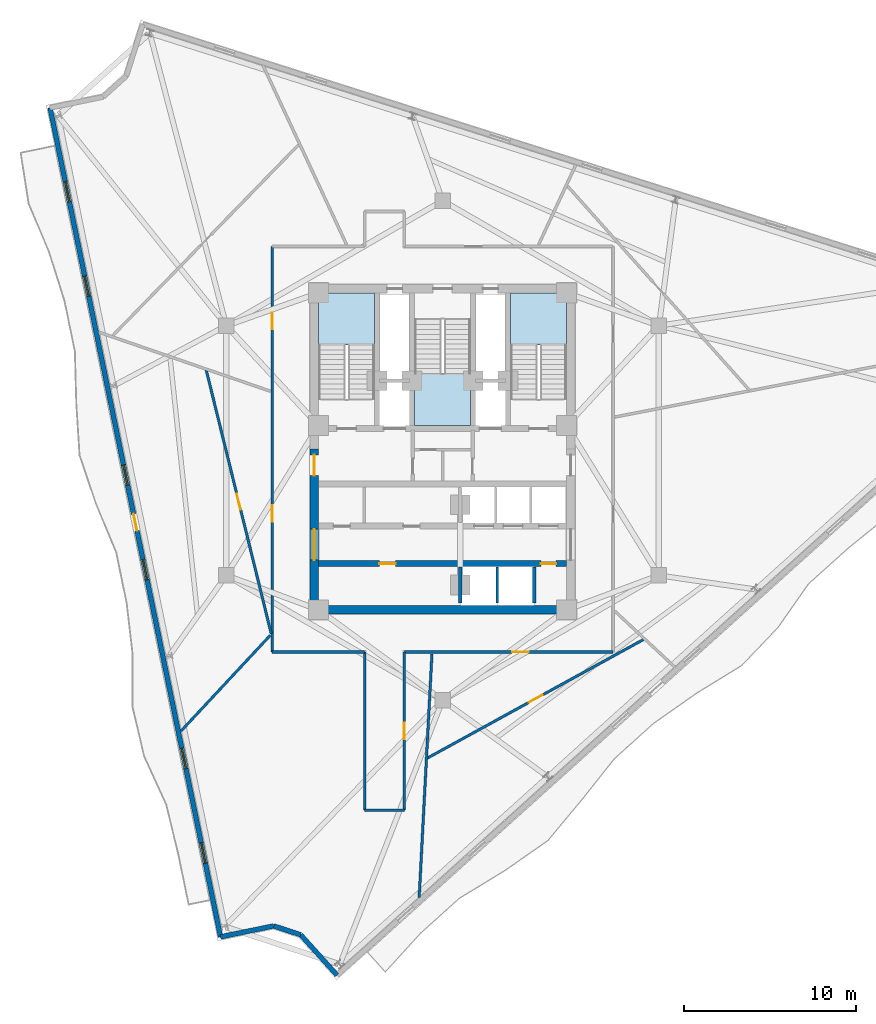
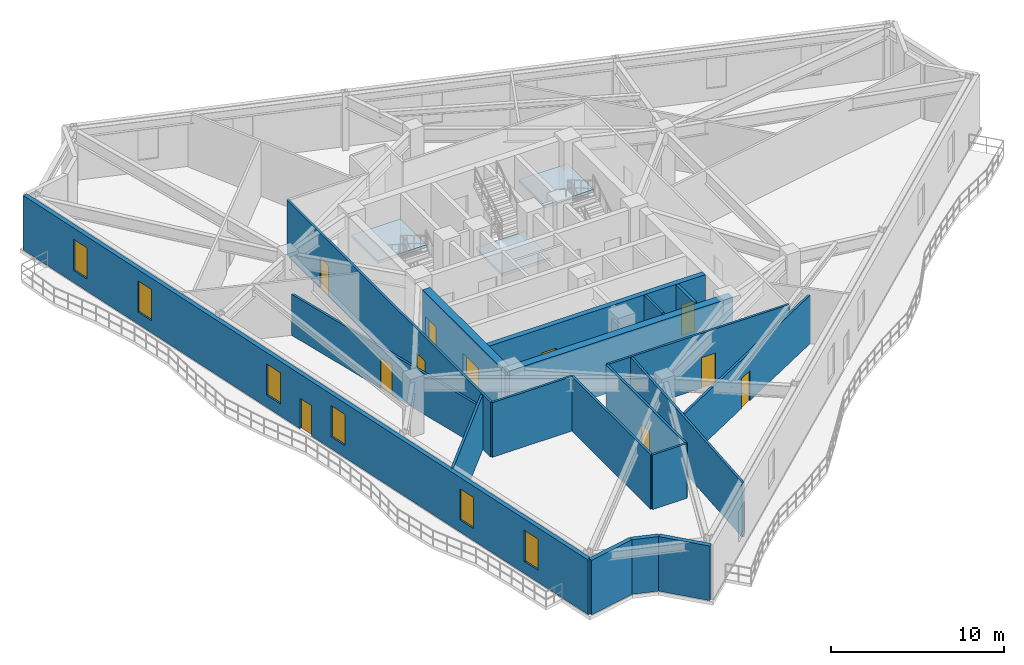
# One storey, part 5 of 11: 20 walls, 11 doors, 6 windows, 3 slabs, 17 openings, 3 elements without a shape of their own.
"""IFC4 building model written with IfcOpenShell, lengths in metres."""

from ifc_helpers import new_model, si_unit, direction, frame, frame_2d, origin, place, context, subcontext, project, spatial, polyline, rectangle, outline, extrude, material, layer, layer_set, type_object, element, fill, aggregate, save


model = new_model("IFC4")

# Units and contexts
model_context = context("Model", 3, precision=1e-05, world=origin(), true_north=direction((0.0, 1.0)))
body_context = subcontext(model_context, "Body", "Model", "MODEL_VIEW")
ifc_project = project(units=[si_unit("LENGTHUNIT", "METRE"), si_unit("AREAUNIT", "SQUARE_METRE"), si_unit("VOLUMEUNIT", "CUBIC_METRE"), si_unit("PLANEANGLEUNIT", "RADIAN"), si_unit("MASSUNIT", "GRAM", prefix="KILO")], contexts=[model_context])

# Site, building, storey
site_placement = place(None, origin())
site = spatial("IfcSite", under=ifc_project, at=site_placement, CompositionType="ELEMENT")
building_placement = place(site_placement, origin())
building = spatial("IfcBuilding", under=site, at=building_placement, Name="Apsidion Concourse Tower", CompositionType="ELEMENT")
storey_placement = place(building_placement, frame((0.0, 0.0, 244.5)))
storey = spatial("IfcBuildingStorey", under=building, at=storey_placement, Name="L57", CompositionType="ELEMENT", Elevation=244.5)

# Stair, slab
ifc_material_1 = material(Name="Precast concrete C40/50", Category="concrete")
stair_type = type_object("IfcStairType", Name="ST-DL-1550", PredefinedType="HALF_TURN_STAIR", material=ifc_material_1)
stair_1_placement = place(storey_placement, origin())
stair_1 = element("IfcStair", 1, at=stair_1_placement, inside=storey, type_object=stair_type, Name="L57 Protected Core Exit Stair ST1", PredefinedType="HALF_TURN_STAIR")
ifc_material_2 = material(Name="Concrete C50/60", Category="concrete")
ifc_layer_1 = layer(ifc_material_2, 0.199951171875)
ifc_layer_set_1 = layer_set([ifc_layer_1], Name="Concrete C50/60")
slab_type = type_object("IfcSlabType", Name="SL-ST-LAND-200", PredefinedType="LANDING", material=ifc_layer_set_1)
slab_1_placement = place(storey_placement, frame((0.0, 0.0, 1.85009765625)))
slab_1 = element("IfcSlab", 2, at=slab_1_placement, type_object=slab_type, Name="ST1 landing 1", PredefinedType="LANDING", context=body_context, shape_type="SweptSolid", body=[
    extrude(outline(polyline([(-3.949951171875, 6.135009765625), (-3.949951171875, 9.14990234375), (-7.199951171875, 9.14990234375), (-7.199951171875, 6.135009765625), (-3.949951171875, 6.135009765625)])), origin(), (0.0, 0.0, 1.0), 0.199951171875),
])
aggregate(stair_1, [slab_1])

stair_2_placement = place(storey_placement, origin())
stair_2 = element("IfcStair", 3, at=stair_2_placement, inside=storey, type_object=stair_type, Name="L57 Protected Core Exit Stair ST2", PredefinedType="HALF_TURN_STAIR")
slab_2_placement = place(storey_placement, frame((0.0, 0.0, 1.85009765625)))
slab_2 = element("IfcSlab", 4, at=slab_2_placement, type_object=slab_type, Name="ST2 landing 1", PredefinedType="LANDING", context=body_context, shape_type="SweptSolid", body=[
    extrude(outline(polyline([(7.199951171875, 6.135009765625), (7.199951171875, 9.14990234375), (3.949951171875, 9.14990234375), (3.949951171875, 6.135009765625), (7.199951171875, 6.135009765625)])), origin(), (0.0, 0.0, 1.0), 0.199951171875),
])
aggregate(stair_2, [slab_2])

stair_3_placement = place(storey_placement, origin())
stair_3 = element("IfcStair", 5, at=stair_3_placement, inside=storey, type_object=stair_type, Name="L57 Protected Core Exit Stair ST3", PredefinedType="HALF_TURN_STAIR")
slab_3_placement = place(storey_placement, frame((0.0, 0.0, 1.85009765625)))
slab_3 = element("IfcSlab", 6, at=slab_3_placement, type_object=slab_type, Name="ST3 landing 1", PredefinedType="LANDING", context=body_context, shape_type="SweptSolid", body=[
    extrude(outline(polyline([(-1.625, 4.465087890625), (-1.625, 1.449951171875), (1.625, 1.449951171875), (1.625, 4.465087890625), (-1.625, 4.465087890625)])), origin(), (0.0, 0.0, 1.0), 0.199951171875),
])
aggregate(stair_3, [slab_3])

# Walls
ifc_layer_2 = layer(ifc_material_1, 0.280029296875)
ifc_layer_set_2 = layer_set([ifc_layer_2], Name="Precast concrete C40/50")
wall_type_1 = type_object("IfcWallType", Name="WL-EXT-280", PredefinedType="STANDARD", material=ifc_layer_set_2)
wall_1_placement = place(storey_placement, frame((-6.13330078125, -30.46044921875, 0.0), z_axis=(0.0, 0.0, 1.0), x_axis=(-0.669131702868, 0.743143838175, 0.0)))
element("IfcWall", 7, at=wall_1_placement, inside=storey, type_object=wall_type_1, Name="L57 Precast Stone Facade Wall 06", PredefinedType="STANDARD", context=body_context, shape_type="SweptSolid", body=[
    extrude(rectangle(XDim=3.150146484375, YDim=0.280029296875, at=frame_2d((1.5751953125, 0.0))), origin(), (0.0, 0.0, 1.0), 3.85009765625),
])
wall_2_placement = place(storey_placement, frame((-8.2412109375, -28.119384765625, 0.0), z_axis=(0.0, 0.0, 1.0), x_axis=(-0.950036767419, 0.312138015231, 0.0)))
element("IfcWall", 8, at=wall_2_placement, inside=storey, type_object=wall_type_1, Name="L57 Precast Stone Facade Wall 07", PredefinedType="STANDARD", context=body_context, shape_type="SweptSolid", body=[
    extrude(rectangle(XDim=1.648681640625, YDim=0.280029296875, at=frame_2d((0.82421875, 0.0))), origin(), (0.0, 0.0, 1.0), 3.85009765625),
])
wall_3_placement = place(storey_placement, frame((-9.8076171875, -27.604736328125, 0.0), z_axis=(0.0, 0.0, 1.0), x_axis=(-0.979505186658, -0.201418939799, 0.0)))
element("IfcWall", 9, at=wall_3_placement, inside=storey, type_object=wall_type_1, Name="L57 Precast Stone Facade Wall 08", PredefinedType="STANDARD", context=body_context, shape_type="SweptSolid", body=[
    extrude(rectangle(XDim=3.150146484375, YDim=0.280029296875, at=frame_2d((1.5751953125, 0.0))), origin(), (0.0, 0.0, 1.0), 3.85009765625),
])

# Wall, openings, door, windows
wall_4_placement = place(storey_placement, frame((-12.893310546875, -28.2392578125, 0.0), z_axis=(0.0, 0.0, 1.0), x_axis=(-0.201426823496, 0.979503565474, 0.0)))
wall_4 = element("IfcWall", 10, at=wall_4_placement, inside=storey, type_object=wall_type_1, Name="L57 Precast Stone Facade Wall 09", PredefinedType="STANDARD", context=body_context, shape_type="SweptSolid", body=[
    extrude(rectangle(XDim=49.145263671875, YDim=0.280029296875, at=frame_2d((24.57275390625, 0.0))), origin(), (0.0, 0.0, 1.0), 3.85009765625),
])
opening_1_placement = place(wall_4_placement, frame((24.072509765625, 0.0, 0.0)))
opening_1 = element("IfcOpeningElement", 11, at=opening_1_placement, cuts=wall_4, Name="Opening D-T1R", PredefinedType="OPENING", context=body_context, shape_type="SweptSolid", body=[
    extrude(rectangle(XDim=1.0, YDim=2.14990234375, at=frame_2d((0.5, 1.074951171875))), frame((0.0, 0.14990234375, 0.0), z_axis=(0.0, -1.0, 0.0), x_axis=(1.0, 0.0, 0.0)), (0.0, 0.0, 1.0), 0.300048828125),
])
opening_2_placement = place(wall_4_placement, frame((4.37255859375, 0.0, 0.85009765625)))
opening_2 = element("IfcOpeningElement", 12, at=opening_2_placement, cuts=wall_4, Name="Opening WN-06", PredefinedType="OPENING", context=body_context, shape_type="SweptSolid", body=[
    extrude(rectangle(XDim=1.199951171875, YDim=2.199951171875, at=frame_2d((0.60009765625, 1.10009765625))), frame((0.0, 0.14990234375, 0.0), z_axis=(0.0, -1.0, 0.0), x_axis=(1.0, 0.0, 0.0)), (0.0, 0.0, 1.0), 0.300048828125),
])
opening_3_placement = place(wall_4_placement, frame((9.97265625, 0.0, 0.85009765625)))
opening_3 = element("IfcOpeningElement", 13, at=opening_3_placement, cuts=wall_4, Name="Opening WN-06", PredefinedType="OPENING", context=body_context, shape_type="SweptSolid", body=[
    extrude(rectangle(XDim=1.199951171875, YDim=2.199951171875, at=frame_2d((0.60009765625, 1.10009765625))), frame((0.0, 0.14990234375, 0.0), z_axis=(0.0, -1.0, 0.0), x_axis=(1.0, 0.0, 0.0)), (0.0, 0.0, 1.0), 0.300048828125),
])
opening_4_placement = place(wall_4_placement, frame((21.172607421875, 0.0, 0.85009765625)))
opening_4 = element("IfcOpeningElement", 14, at=opening_4_placement, cuts=wall_4, Name="Opening WN-06", PredefinedType="OPENING", context=body_context, shape_type="SweptSolid", body=[
    extrude(rectangle(XDim=1.199951171875, YDim=2.199951171875, at=frame_2d((0.60009765625, 1.10009765625))), frame((0.0, 0.14990234375, 0.0), z_axis=(0.0, -1.0, 0.0), x_axis=(1.0, 0.0, 0.0)), (0.0, 0.0, 1.0), 0.300048828125),
])
opening_5_placement = place(wall_4_placement, frame((26.772705078125, 0.0, 0.85009765625)))
opening_5 = element("IfcOpeningElement", 15, at=opening_5_placement, cuts=wall_4, Name="Opening WN-06", PredefinedType="OPENING", context=body_context, shape_type="SweptSolid", body=[
    extrude(rectangle(XDim=1.199951171875, YDim=2.199951171875, at=frame_2d((0.60009765625, 1.10009765625))), frame((0.0, 0.14990234375, 0.0), z_axis=(0.0, -1.0, 0.0), x_axis=(1.0, 0.0, 0.0)), (0.0, 0.0, 1.0), 0.300048828125),
])
opening_6_placement = place(wall_4_placement, frame((37.97265625, 0.0, 0.85009765625)))
opening_6 = element("IfcOpeningElement", 16, at=opening_6_placement, cuts=wall_4, Name="Opening WN-06", PredefinedType="OPENING", context=body_context, shape_type="SweptSolid", body=[
    extrude(rectangle(XDim=1.199951171875, YDim=2.199951171875, at=frame_2d((0.60009765625, 1.10009765625))), frame((0.0, 0.14990234375, 0.0), z_axis=(0.0, -1.0, 0.0), x_axis=(1.0, 0.0, 0.0)), (0.0, 0.0, 1.0), 0.300048828125),
])
opening_7_placement = place(wall_4_placement, frame((43.572509765625, 0.0, 0.85009765625)))
opening_7 = element("IfcOpeningElement", 17, at=opening_7_placement, cuts=wall_4, Name="Opening WN-06", PredefinedType="OPENING", context=body_context, shape_type="SweptSolid", body=[
    extrude(rectangle(XDim=1.199951171875, YDim=2.199951171875, at=frame_2d((0.60009765625, 1.10009765625))), frame((0.0, 0.14990234375, 0.0), z_axis=(0.0, -1.0, 0.0), x_axis=(1.0, 0.0, 0.0)), (0.0, 0.0, 1.0), 0.300048828125),
])
ifc_material_3 = material(Name="Anodised aluminium EN AW-6063 T6", Category="aluminium")
door_type_1 = type_object("IfcDoorType", Name="DR-TER-1022R", OperationType="SINGLE_SWING_RIGHT", PredefinedType="DOOR", material=ifc_material_3)
door_1_placement = place(opening_1_placement, origin())
door_1 = element("IfcDoor", 18, at=door_1_placement, inside=storey, type_object=door_type_1, Name="L57 Balcony Access Door 1", OperationType="SINGLE_SWING_RIGHT", OverallHeight=2.14990234375, OverallWidth=1.0, PredefinedType="DOOR", context=body_context, shape_type="SweptSolid", body=[
    extrude(rectangle(XDim=1.0, YDim=2.14990234375, at=frame_2d((0.5, 1.074951171875))), frame((0.0, 0.02490234375, 0.0), z_axis=(0.0, -1.0, 0.0), x_axis=(1.0, 0.0, 0.0)), (0.0, 0.0, 1.0), 0.050048828125),
])
fill(opening_1, door_1)
ifc_material_4 = material(Name="Insulated laminated low-E glass", Category="glass")
window_type = type_object("IfcWindowType", Name="WN-OFF-1224", PartitioningType="SINGLE_PANEL", PredefinedType="WINDOW", material=ifc_material_4)
window_1_placement = place(opening_2_placement, origin())
window_1 = element("IfcWindow", 19, at=window_1_placement, inside=storey, type_object=window_type, Name="L57 Punched Facade Window 9-01", OverallHeight=2.199951171875, OverallWidth=1.199951171875, PartitioningType="SINGLE_PANEL", PredefinedType="WINDOW", context=body_context, shape_type="SweptSolid", body=[
    extrude(rectangle(XDim=1.199951171875, YDim=2.199951171875, at=frame_2d((0.60009765625, 1.10009765625))), frame((0.0, 0.030029296875, 0.0), z_axis=(0.0, -1.0, 0.0), x_axis=(1.0, 0.0, 0.0)), (0.0, 0.0, 1.0), 0.06005859375),
])
fill(opening_2, window_1)
window_2_placement = place(opening_3_placement, origin())
window_2 = element("IfcWindow", 20, at=window_2_placement, inside=storey, type_object=window_type, Name="L57 Punched Facade Window 9-02", OverallHeight=2.199951171875, OverallWidth=1.199951171875, PartitioningType="SINGLE_PANEL", PredefinedType="WINDOW", context=body_context, shape_type="SweptSolid", body=[
    extrude(rectangle(XDim=1.199951171875, YDim=2.199951171875, at=frame_2d((0.60009765625, 1.10009765625))), frame((0.0, 0.030029296875, 0.0), z_axis=(0.0, -1.0, 0.0), x_axis=(1.0, 0.0, 0.0)), (0.0, 0.0, 1.0), 0.06005859375),
])
fill(opening_3, window_2)
window_3_placement = place(opening_4_placement, origin())
window_3 = element("IfcWindow", 21, at=window_3_placement, inside=storey, type_object=window_type, Name="L57 Punched Facade Window 9-04", OverallHeight=2.199951171875, OverallWidth=1.199951171875, PartitioningType="SINGLE_PANEL", PredefinedType="WINDOW", context=body_context, shape_type="SweptSolid", body=[
    extrude(rectangle(XDim=1.199951171875, YDim=2.199951171875, at=frame_2d((0.60009765625, 1.10009765625))), frame((0.0, 0.030029296875, 0.0), z_axis=(0.0, -1.0, 0.0), x_axis=(1.0, 0.0, 0.0)), (0.0, 0.0, 1.0), 0.06005859375),
])
fill(opening_4, window_3)
window_4_placement = place(opening_5_placement, origin())
window_4 = element("IfcWindow", 22, at=window_4_placement, inside=storey, type_object=window_type, Name="L57 Punched Facade Window 9-05", OverallHeight=2.199951171875, OverallWidth=1.199951171875, PartitioningType="SINGLE_PANEL", PredefinedType="WINDOW", context=body_context, shape_type="SweptSolid", body=[
    extrude(rectangle(XDim=1.199951171875, YDim=2.199951171875, at=frame_2d((0.60009765625, 1.10009765625))), frame((0.0, 0.030029296875, 0.0), z_axis=(0.0, -1.0, 0.0), x_axis=(1.0, 0.0, 0.0)), (0.0, 0.0, 1.0), 0.06005859375),
])
fill(opening_5, window_4)
window_5_placement = place(opening_6_placement, origin())
window_5 = element("IfcWindow", 23, at=window_5_placement, inside=storey, type_object=window_type, Name="L57 Punched Facade Window 9-07", OverallHeight=2.199951171875, OverallWidth=1.199951171875, PartitioningType="SINGLE_PANEL", PredefinedType="WINDOW", context=body_context, shape_type="SweptSolid", body=[
    extrude(rectangle(XDim=1.199951171875, YDim=2.199951171875, at=frame_2d((0.60009765625, 1.10009765625))), frame((0.0, 0.030029296875, 0.0), z_axis=(0.0, -1.0, 0.0), x_axis=(1.0, 0.0, 0.0)), (0.0, 0.0, 1.0), 0.06005859375),
])
fill(opening_6, window_5)
window_6_placement = place(opening_7_placement, origin())
window_6 = element("IfcWindow", 24, at=window_6_placement, inside=storey, type_object=window_type, Name="L57 Punched Facade Window 9-08", OverallHeight=2.199951171875, OverallWidth=1.199951171875, PartitioningType="SINGLE_PANEL", PredefinedType="WINDOW", context=body_context, shape_type="SweptSolid", body=[
    extrude(rectangle(XDim=1.199951171875, YDim=2.199951171875, at=frame_2d((0.60009765625, 1.10009765625))), frame((0.0, 0.030029296875, 0.0), z_axis=(0.0, -1.0, 0.0), x_axis=(1.0, 0.0, 0.0)), (0.0, 0.0, 1.0), 0.06005859375),
])
fill(opening_7, window_6)

# Walls
ifc_material_5 = material(Name="Gypsum plasterboard partition")
ifc_layer_3 = layer(ifc_material_5, 0.14990234375)
ifc_layer_set_3 = layer_set([ifc_layer_3], Name="Gypsum plasterboard partition")
wall_type_2 = type_object("IfcWallType", Name="WL-INT-PAR-150", PredefinedType="PARTITIONING", material=ifc_layer_set_3)
wall_5_placement = place(storey_placement, frame((3.175048828125, -8.85009765625, 0.0), z_axis=(0.0, 0.0, 1.0), x_axis=(0.0, 1.0, 0.0)))
element("IfcWall", 25, at=wall_5_placement, inside=storey, type_object=wall_type_2, Name="L57 Interior Partition WL-L57-SHDIV-1", PredefinedType="PARTITIONING", context=body_context, shape_type="SweptSolid", body=[
    extrude(rectangle(XDim=2.080078125, YDim=0.14990234375, at=frame_2d((1.0400390625, 0.0))), origin(), (0.0, 0.0, 1.0), 3.85009765625),
])
wall_6_placement = place(storey_placement, frame((-4.530029296875, -11.699951171875, 0.0), z_axis=(0.0, 0.0, 1.0), x_axis=(-1.0, 0.0, 0.0)))
element("IfcWall", 26, at=wall_6_placement, inside=storey, type_object=wall_type_2, Name="L57 Interior Partition WL-L57-CORR-01", PredefinedType="PARTITIONING", context=body_context, shape_type="SweptSolid", body=[
    extrude(rectangle(XDim=5.369873046875, YDim=0.14990234375, at=frame_2d((2.68505859375, 0.0))), origin(), (0.0, 0.0, 1.0), 3.85009765625),
])

# Wall, openings, doors
wall_7_placement = place(storey_placement, frame((-9.89990234375, -11.699951171875, 0.0), z_axis=(0.0, 0.0, 1.0), x_axis=(0.0, 1.0, 0.0)))
wall_7 = element("IfcWall", 27, at=wall_7_placement, inside=storey, type_object=wall_type_2, Name="L57 Interior Partition WL-L57-CORR-02", PredefinedType="PARTITIONING", context=body_context, shape_type="SweptSolid", body=[
    extrude(rectangle(XDim=23.550048828125, YDim=0.14990234375, at=frame_2d((11.77490234375, 0.0))), origin(), (0.0, 0.0, 1.0), 3.85009765625),
])
opening_8_placement = place(wall_7_placement, frame((7.5673828125, 0.0, 0.0)))
opening_8 = element("IfcOpeningElement", 28, at=opening_8_placement, cuts=wall_7, Name="Opening D-01L", PredefinedType="OPENING", context=body_context, shape_type="SweptSolid", body=[
    extrude(rectangle(XDim=0.949951171875, YDim=2.14990234375, at=frame_2d((0.47509765625, 1.074951171875))), frame((0.0, 0.0849609375, 0.0), z_axis=(0.0, -1.0, 0.0), x_axis=(1.0, 0.0, 0.0)), (0.0, 0.0, 1.0), 0.169921875),
])
opening_9_placement = place(wall_7_placement, frame((18.744140625, 0.0, 0.0)))
opening_9 = element("IfcOpeningElement", 29, at=opening_9_placement, cuts=wall_7, Name="Opening D-01L", PredefinedType="OPENING", context=body_context, shape_type="SweptSolid", body=[
    extrude(rectangle(XDim=0.949951171875, YDim=2.14990234375, at=frame_2d((0.47509765625, 1.074951171875))), frame((0.0, 0.0849609375, 0.0), z_axis=(0.0, -1.0, 0.0), x_axis=(1.0, 0.0, 0.0)), (0.0, 0.0, 1.0), 0.169921875),
])
ifc_material_6 = material(Name="Brushed stainless steel 316", Category="steel")
door_type_2 = type_object("IfcDoorType", Name="DR-INT-D01L", OperationType="SINGLE_SWING_LEFT", PredefinedType="DOOR", material=ifc_material_6)
door_2_placement = place(opening_8_placement, origin())
door_2 = element("IfcDoor", 30, at=door_2_placement, inside=storey, type_object=door_type_2, Name="L57 Corridor Entry Door 01", OperationType="SINGLE_SWING_LEFT", OverallHeight=2.14990234375, OverallWidth=0.949951171875, PredefinedType="DOOR", context=body_context, shape_type="SweptSolid", body=[
    extrude(rectangle(XDim=0.949951171875, YDim=2.14990234375, at=frame_2d((0.47509765625, 1.074951171875))), frame((0.0, 0.02490234375, 0.0), z_axis=(0.0, -1.0, 0.0), x_axis=(1.0, 0.0, 0.0)), (0.0, 0.0, 1.0), 0.050048828125),
])
fill(opening_8, door_2)
door_3_placement = place(opening_9_placement, origin())
door_3 = element("IfcDoor", 31, at=door_3_placement, inside=storey, type_object=door_type_2, Name="L57 Corridor Entry Door 07", OperationType="SINGLE_SWING_LEFT", OverallHeight=2.14990234375, OverallWidth=0.949951171875, PredefinedType="DOOR", context=body_context, shape_type="SweptSolid", body=[
    extrude(rectangle(XDim=0.949951171875, YDim=2.14990234375, at=frame_2d((0.47509765625, 1.074951171875))), frame((0.0, 0.02490234375, 0.0), z_axis=(0.0, -1.0, 0.0), x_axis=(1.0, 0.0, 0.0)), (0.0, 0.0, 1.0), 0.050048828125),
])
fill(opening_9, door_3)

# Wall, opening, door
wall_8_placement = place(storey_placement, frame((9.89990234375, -11.699951171875, 0.0), z_axis=(0.0, 0.0, 1.0), x_axis=(-1.0, 0.0, 0.0)))
wall_8 = element("IfcWall", 32, at=wall_8_placement, inside=storey, type_object=wall_type_2, Name="L57 Interior Partition WL-L57-CORR-09", PredefinedType="PARTITIONING", context=body_context, shape_type="SweptSolid", body=[
    extrude(rectangle(XDim=12.119873046875, YDim=0.14990234375, at=frame_2d((6.06005859375, 0.0))), origin(), (0.0, 0.0, 1.0), 3.85009765625),
])
opening_10_placement = place(wall_8_placement, frame((4.9111328125, 0.0, 0.0)))
opening_10 = element("IfcOpeningElement", 33, at=opening_10_placement, cuts=wall_8, Name="Opening D-01L", PredefinedType="OPENING", context=body_context, shape_type="SweptSolid", body=[
    extrude(rectangle(XDim=0.949951171875, YDim=2.14990234375, at=frame_2d((0.47509765625, 1.074951171875))), frame((0.0, 0.0849609375, 0.0), z_axis=(0.0, -1.0, 0.0), x_axis=(1.0, 0.0, 0.0)), (0.0, 0.0, 1.0), 0.169921875),
])
door_4_placement = place(opening_10_placement, origin())
door_4 = element("IfcDoor", 34, at=door_4_placement, inside=storey, type_object=door_type_2, Name="L57 Corridor Entry Door 03", OperationType="SINGLE_SWING_LEFT", OverallHeight=2.14990234375, OverallWidth=0.949951171875, PredefinedType="DOOR", context=body_context, shape_type="SweptSolid", body=[
    extrude(rectangle(XDim=0.949951171875, YDim=2.14990234375, at=frame_2d((0.47509765625, 1.074951171875))), frame((0.0, 0.02490234375, 0.0), z_axis=(0.0, -1.0, 0.0), x_axis=(1.0, 0.0, 0.0)), (0.0, 0.0, 1.0), 0.050048828125),
])
fill(opening_10, door_4)

wall_9_placement = place(storey_placement, frame((-2.219970703125, -11.699951171875, 0.0), z_axis=(0.0, 0.0, 1.0), x_axis=(0.0, -1.0, 0.0)))
wall_9 = element("IfcWall", 35, at=wall_9_placement, inside=storey, type_object=wall_type_2, Name="L57 Interior Partition WL-L57-CORR-10", PredefinedType="PARTITIONING", context=body_context, shape_type="SweptSolid", body=[
    extrude(rectangle(XDim=9.179931640625, YDim=0.14990234375, at=frame_2d((4.58984375, 0.0))), origin(), (0.0, 0.0, 1.0), 3.85009765625),
])
opening_11_placement = place(wall_9_placement, frame((4.114990234375, 0.0, 0.0)))
opening_11 = element("IfcOpeningElement", 36, at=opening_11_placement, cuts=wall_9, Name="Opening D-01R", PredefinedType="OPENING", context=body_context, shape_type="SweptSolid", body=[
    extrude(rectangle(XDim=0.949951171875, YDim=2.14990234375, at=frame_2d((0.47509765625, 1.074951171875))), frame((0.0, 0.0849609375, 0.0), z_axis=(0.0, -1.0, 0.0), x_axis=(1.0, 0.0, 0.0)), (0.0, 0.0, 1.0), 0.169921875),
])
door_type_3 = type_object("IfcDoorType", Name="DR-INT-D01R", OperationType="SINGLE_SWING_RIGHT", PredefinedType="DOOR", material=ifc_material_6)
door_5_placement = place(opening_11_placement, origin())
door_5 = element("IfcDoor", 37, at=door_5_placement, inside=storey, type_object=door_type_3, Name="L57 Corridor Entry Door 02", OperationType="SINGLE_SWING_RIGHT", OverallHeight=2.14990234375, OverallWidth=0.949951171875, PredefinedType="DOOR", context=body_context, shape_type="SweptSolid", body=[
    extrude(rectangle(XDim=0.949951171875, YDim=2.14990234375, at=frame_2d((0.47509765625, 1.074951171875))), frame((0.0, 0.02490234375, 0.0), z_axis=(0.0, -1.0, 0.0), x_axis=(1.0, 0.0, 0.0)), (0.0, 0.0, 1.0), 0.050048828125),
])
fill(opening_11, door_5)

# Walls
wall_10_placement = place(storey_placement, frame((-2.219970703125, -20.8798828125, 0.0), z_axis=(0.0, 0.0, 1.0), x_axis=(-1.0, 0.0, 0.0)))
element("IfcWall", 38, at=wall_10_placement, inside=storey, type_object=wall_type_2, Name="L57 Interior Partition WL-L57-CORR-11", PredefinedType="PARTITIONING", context=body_context, shape_type="SweptSolid", body=[
    extrude(rectangle(XDim=2.31005859375, YDim=0.14990234375, at=frame_2d((1.155029296875, 0.0))), origin(), (0.0, 0.0, 1.0), 3.85009765625),
])
wall_11_placement = place(storey_placement, frame((-4.530029296875, -20.8798828125, 0.0), z_axis=(0.0, 0.0, 1.0), x_axis=(0.0, 1.0, 0.0)))
element("IfcWall", 39, at=wall_11_placement, inside=storey, type_object=wall_type_2, Name="L57 Interior Partition WL-L57-CORR-12", PredefinedType="PARTITIONING", context=body_context, shape_type="SweptSolid", body=[
    extrude(rectangle(XDim=9.179931640625, YDim=0.14990234375, at=frame_2d((4.58984375, 0.0))), origin(), (0.0, 0.0, 1.0), 3.85009765625),
])
wall_12_placement = place(storey_placement, frame((-10.0048828125, -10.72900390625, 0.0), z_axis=(0.0, 0.0, 1.0), x_axis=(-0.681991084944, -0.731360485709, 0.0)))
element("IfcWall", 40, at=wall_12_placement, inside=storey, type_object=wall_type_2, Name="L57 Interior Partition WL-L57-RAD-05-1", PredefinedType="PARTITIONING", context=body_context, shape_type="SweptSolid", body=[
    extrude(rectangle(XDim=7.605712890625, YDim=0.14990234375, at=frame_2d((3.802734375, 0.0))), origin(), (0.0, 0.0, 1.0), 3.85009765625),
])
wall_13_placement = place(storey_placement, frame((-0.61865234375, -11.804931640625, 0.0), z_axis=(0.0, 0.0, 1.0), x_axis=(-0.052330923958, -0.998629798473, 0.0)))
element("IfcWall", 41, at=wall_13_placement, inside=storey, type_object=wall_type_2, Name="L57 Interior Partition WL-L57-RAD-06-1", PredefinedType="PARTITIONING", context=body_context, shape_type="SweptSolid", body=[
    extrude(rectangle(XDim=14.168701171875, YDim=0.14990234375, at=frame_2d((7.08447265625, 0.0))), origin(), (0.0, 0.0, 1.0), 3.85009765625),
])

# Wall, opening, door
wall_14_placement = place(storey_placement, frame((-13.731201171875, 4.70166015625, 0.0), z_axis=(0.0, 0.0, 1.0), x_axis=(0.239406484388, -0.970919427776, 0.0)))
wall_14 = element("IfcWall", 42, at=wall_14_placement, inside=storey, type_object=wall_type_2, Name="L57 Interior Partition WL-L57-CHD-OFWC", PredefinedType="PARTITIONING", context=body_context, shape_type="SweptSolid", body=[
    extrude(rectangle(XDim=15.794189453125, YDim=0.14990234375, at=frame_2d((7.89697265625, 0.0))), origin(), (0.0, 0.0, 1.0), 2.89794921875),
])
opening_12_placement = place(wall_14_placement, frame((7.422119140625, 0.0, 0.0)))
opening_12 = element("IfcOpeningElement", 43, at=opening_12_placement, cuts=wall_14, Name="Opening D-04L", PredefinedType="OPENING", context=body_context, shape_type="SweptSolid", body=[
    extrude(rectangle(XDim=0.949951171875, YDim=2.14990234375, at=frame_2d((0.47509765625, 1.074951171875))), frame((0.0, 0.0849609375, 0.0), z_axis=(0.0, -1.0, 0.0), x_axis=(1.0, 0.0, 0.0)), (0.0, 0.0, 1.0), 0.169921875),
])
door_type_4 = type_object("IfcDoorType", Name="DR-INT-D04L", OperationType="SINGLE_SWING_LEFT", PredefinedType="DOOR", material=ifc_material_6)
door_6_placement = place(opening_12_placement, origin())
door_6 = element("IfcDoor", 44, at=door_6_placement, inside=storey, type_object=door_type_4, Name="L57 Suite Connecting Door OFWC", OperationType="SINGLE_SWING_LEFT", OverallHeight=2.14990234375, OverallWidth=0.949951171875, PredefinedType="DOOR", context=body_context, shape_type="SweptSolid", body=[
    extrude(rectangle(XDim=0.949951171875, YDim=2.14990234375, at=frame_2d((0.47509765625, 1.074951171875))), frame((0.0, 0.02490234375, 0.0), z_axis=(0.0, -1.0, 0.0), x_axis=(1.0, 0.0, 0.0)), (0.0, 0.0, 1.0), 0.050048828125),
])
fill(opening_12, door_6)

wall_15_placement = place(storey_placement, frame((-0.91162109375, -17.874267578125, 0.0), z_axis=(0.0, 0.0, 1.0), x_axis=(0.876692881447, 0.481050508387, 0.0)))
wall_15 = element("IfcWall", 45, at=wall_15_placement, inside=storey, type_object=wall_type_2, Name="L57 Interior Partition WL-L57-CHD-OFS02", PredefinedType="PARTITIONING", context=body_context, shape_type="SweptSolid", body=[
    extrude(rectangle(XDim=14.392578125, YDim=0.14990234375, at=frame_2d((7.1962890625, 0.0))), origin(), (0.0, 0.0, 1.0), 3.4150390625),
])
opening_13_placement = place(wall_15_placement, frame((6.746337890625, 0.0, 0.0)))
opening_13 = element("IfcOpeningElement", 46, at=opening_13_placement, cuts=wall_15, Name="Opening D-02L", PredefinedType="OPENING", context=body_context, shape_type="SweptSolid", body=[
    extrude(rectangle(XDim=0.89990234375, YDim=2.10009765625, at=frame_2d((0.449951171875, 1.050048828125))), frame((0.0, 0.0849609375, 0.0), z_axis=(0.0, -1.0, 0.0), x_axis=(1.0, 0.0, 0.0)), (0.0, 0.0, 1.0), 0.169921875),
])
door_type_5 = type_object("IfcDoorType", Name="DR-INT-D02L", OperationType="SINGLE_SWING_LEFT", PredefinedType="DOOR", material=ifc_material_3)
door_7_placement = place(opening_13_placement, origin())
door_7 = element("IfcDoor", 47, at=door_7_placement, inside=storey, type_object=door_type_5, Name="L57 Suite Connecting Door OFS02", OperationType="SINGLE_SWING_LEFT", OverallHeight=2.10009765625, OverallWidth=0.89990234375, PredefinedType="DOOR", context=body_context, shape_type="SweptSolid", body=[
    extrude(rectangle(XDim=0.89990234375, YDim=2.10009765625, at=frame_2d((0.449951171875, 1.050048828125))), frame((0.0, 0.02490234375, 0.0), z_axis=(0.0, -1.0, 0.0), x_axis=(1.0, 0.0, 0.0)), (0.0, 0.0, 1.0), 0.050048828125),
])
fill(opening_13, door_7)

# Walls
ifc_layer_4 = layer(ifc_material_5, 0.179931640625)
ifc_layer_set_4 = layer_set([ifc_layer_4], Name="Gypsum plasterboard partition")
wall_type_3 = type_object("IfcWallType", Name="WL-INT-PAR-180", PredefinedType="PARTITIONING", material=ifc_layer_set_4)
wall_16_placement = place(storey_placement, frame((1.02490234375, -8.85009765625, 0.0), z_axis=(0.0, 0.0, 1.0), x_axis=(0.0, 1.0, 0.0)))
element("IfcWall", 48, at=wall_16_placement, inside=storey, type_object=wall_type_3, Name="L57 Interior Partition WL-L57-B2END", PredefinedType="PARTITIONING", context=body_context, shape_type="SweptSolid", body=[
    extrude(rectangle(XDim=2.080078125, YDim=0.179931640625, at=frame_2d((1.0400390625, 0.0))), origin(), (0.0, 0.0, 1.0), 2.89794921875),
])
wall_17_placement = place(storey_placement, frame((5.324951171875, -8.85009765625, 0.0), z_axis=(0.0, 0.0, 1.0), x_axis=(0.0, 1.0, 0.0)))
element("IfcWall", 49, at=wall_17_placement, inside=storey, type_object=wall_type_3, Name="L57 Interior Partition WL-L57-SHDIV-2", PredefinedType="PARTITIONING", context=body_context, shape_type="SweptSolid", body=[
    extrude(rectangle(XDim=2.080078125, YDim=0.179931640625, at=frame_2d((1.0400390625, 0.0))), origin(), (0.0, 0.0, 1.0), 3.85009765625),
])

# Wall, openings, doors
ifc_layer_5 = layer(ifc_material_2, 0.35009765625)
ifc_layer_set_5 = layer_set([ifc_layer_5], Name="Concrete C50/60")
wall_type_4 = type_object("IfcWallType", Name="WL-SH-350", PredefinedType="SHEAR", material=ifc_layer_set_5)
wall_18_placement = place(storey_placement, frame((-7.199951171875, -6.570068359375, 0.0), z_axis=(0.0, 0.0, 1.0), x_axis=(1.0, 0.0, 0.0)))
wall_18 = element("IfcWall", 50, at=wall_18_placement, inside=storey, type_object=wall_type_4, Name="L57 Central Core Shear Wall LB", PredefinedType="SHEAR", context=body_context, shape_type="SweptSolid", body=[
    extrude(rectangle(XDim=14.39990234375, YDim=0.35009765625, at=frame_2d((7.199951171875, 0.0))), origin(), (0.0, 0.0, 1.0), 3.85009765625),
])
opening_14_placement = place(wall_18_placement, frame((3.52490234375, 0.0, 0.0)))
opening_14 = element("IfcOpeningElement", 51, at=opening_14_placement, cuts=wall_18, Name="Opening D-04L", PredefinedType="OPENING", context=body_context, shape_type="SweptSolid", body=[
    extrude(rectangle(XDim=0.949951171875, YDim=2.14990234375, at=frame_2d((0.47509765625, 1.074951171875))), frame((0.0, 0.18505859375, 0.0), z_axis=(0.0, -1.0, 0.0), x_axis=(1.0, 0.0, 0.0)), (0.0, 0.0, 1.0), 0.3701171875),
])
opening_15_placement = place(wall_18_placement, frame((12.909912109375, 0.0, 0.0)))
opening_15 = element("IfcOpeningElement", 52, at=opening_15_placement, cuts=wall_18, Name="Opening D-05L", PredefinedType="OPENING", context=body_context, shape_type="SweptSolid", body=[
    extrude(rectangle(XDim=0.8798828125, YDim=2.14990234375, at=frame_2d((0.43994140625, 1.074951171875))), frame((0.0, 0.18505859375, 0.0), z_axis=(0.0, -1.0, 0.0), x_axis=(1.0, 0.0, 0.0)), (0.0, 0.0, 1.0), 0.3701171875),
])
door_8_placement = place(opening_14_placement, origin())
door_8 = element("IfcDoor", 53, at=door_8_placement, inside=storey, type_object=door_type_4, Name="L57 Executive Archive and Mail Room Door", OperationType="SINGLE_SWING_LEFT", OverallHeight=2.14990234375, OverallWidth=0.949951171875, PredefinedType="DOOR", context=body_context, shape_type="SweptSolid", body=[
    extrude(rectangle(XDim=0.949951171875, YDim=2.14990234375, at=frame_2d((0.47509765625, 1.074951171875))), frame((0.0, 0.02490234375, 0.0), z_axis=(0.0, -1.0, 0.0), x_axis=(1.0, 0.0, 0.0)), (0.0, 0.0, 1.0), 0.050048828125),
])
fill(opening_14, door_8)
door_type_6 = type_object("IfcDoorType", Name="DR-INT-D05L", OperationType="SINGLE_SWING_LEFT", PredefinedType="DOOR", material=ifc_material_6)
door_9_placement = place(opening_15_placement, origin())
door_9 = element("IfcDoor", 54, at=door_9_placement, inside=storey, type_object=door_type_6, Name="L57 Cleaners Store Door", OperationType="SINGLE_SWING_LEFT", OverallHeight=2.14990234375, OverallWidth=0.8798828125, PredefinedType="DOOR", context=body_context, shape_type="SweptSolid", body=[
    extrude(rectangle(XDim=0.8798828125, YDim=2.14990234375, at=frame_2d((0.43994140625, 1.074951171875))), frame((0.0, 0.02490234375, 0.0), z_axis=(0.0, -1.0, 0.0), x_axis=(1.0, 0.0, 0.0)), (0.0, 0.0, 1.0), 0.050048828125),
])
fill(opening_15, door_9)

ifc_layer_6 = layer(ifc_material_2, 0.5)
ifc_layer_set_6 = layer_set([ifc_layer_6], Name="Concrete C50/60")
wall_type_5 = type_object("IfcWallType", Name="WL-SH-500", PredefinedType="SHEAR", material=ifc_layer_set_6)
wall_19_placement = place(storey_placement, frame((-7.449951171875, -9.0, 0.0), z_axis=(0.0, 0.0, 1.0), x_axis=(0.0, 1.0, 0.0)))
wall_19 = element("IfcWall", 55, at=wall_19_placement, inside=storey, type_object=wall_type_5, Name="L57 Central Core Shear Wall WS", PredefinedType="SHEAR", context=body_context, shape_type="SweptSolid", body=[
    extrude(rectangle(XDim=9.10009765625, YDim=0.5, at=frame_2d((4.550048828125, 0.0))), origin(), (0.0, 0.0, 1.0), 3.85009765625),
])
opening_16_placement = place(wall_19_placement, frame((2.639892578125, 0.0, 0.0)))
opening_16 = element("IfcOpeningElement", 56, at=opening_16_placement, cuts=wall_19, Name="Opening D-06D", PredefinedType="OPENING", context=body_context, shape_type="SweptSolid", body=[
    extrude(rectangle(XDim=1.800048828125, YDim=2.199951171875, at=frame_2d((0.89990234375, 1.10009765625))), frame((0.0, 0.260009765625, 0.0), z_axis=(0.0, -1.0, 0.0), x_axis=(1.0, 0.0, 0.0)), (0.0, 0.0, 1.0), 0.52001953125),
])
opening_17_placement = place(wall_19_placement, frame((7.550048828125, 0.0, 0.0)))
opening_17 = element("IfcOpeningElement", 57, at=opening_17_placement, cuts=wall_19, Name="Opening D-FFL", PredefinedType="OPENING", context=body_context, shape_type="SweptSolid", body=[
    extrude(rectangle(XDim=1.199951171875, YDim=2.14990234375, at=frame_2d((0.60009765625, 1.074951171875))), frame((0.0, 0.260009765625, 0.0), z_axis=(0.0, -1.0, 0.0), x_axis=(1.0, 0.0, 0.0)), (0.0, 0.0, 1.0), 0.52001953125),
])
door_type_7 = type_object("IfcDoorType", Name="DR-INT-D06D", OperationType="DOUBLE_DOOR_SINGLE_SWING", PredefinedType="DOOR", material=ifc_material_6)
door_10_placement = place(opening_16_placement, origin())
door_10 = element("IfcDoor", 58, at=door_10_placement, inside=storey, type_object=door_type_7, Name="L57 Passenger Lift Lobby WS Portal Door", OperationType="DOUBLE_DOOR_SINGLE_SWING", OverallHeight=2.199951171875, OverallWidth=1.800048828125, PredefinedType="DOOR", context=body_context, shape_type="SweptSolid", body=[
    extrude(rectangle(XDim=1.800048828125, YDim=2.199951171875, at=frame_2d((0.89990234375, 1.10009765625))), frame((0.0, 0.02490234375, 0.0), z_axis=(0.0, -1.0, 0.0), x_axis=(1.0, 0.0, 0.0)), (0.0, 0.0, 1.0), 0.050048828125),
])
fill(opening_16, door_10)
door_type_8 = type_object("IfcDoorType", Name="DR-INT-FFL", OperationType="SINGLE_SWING_LEFT", PredefinedType="DOOR", material=ifc_material_6)
door_11_placement = place(opening_17_placement, origin())
door_11 = element("IfcDoor", 59, at=door_11_placement, inside=storey, type_object=door_type_8, Name="L57 Firefighting Lift Lobby FF1 Door", OperationType="SINGLE_SWING_LEFT", OverallHeight=2.14990234375, OverallWidth=1.199951171875, PredefinedType="DOOR", context=body_context, shape_type="SweptSolid", body=[
    extrude(rectangle(XDim=1.199951171875, YDim=2.14990234375, at=frame_2d((0.60009765625, 1.074951171875))), frame((0.0, 0.02490234375, 0.0), z_axis=(0.0, -1.0, 0.0), x_axis=(1.0, 0.0, 0.0)), (0.0, 0.0, 1.0), 0.050048828125),
])
fill(opening_17, door_11)

# Wall
wall_20_placement = place(storey_placement, frame((-7.449951171875, -9.25, 0.0), z_axis=(0.0, 0.0, 1.0), x_axis=(1.0, 0.0, 0.0)))
element("IfcWall", 60, at=wall_20_placement, inside=storey, type_object=wall_type_5, Name="L57 Central Core Shear Wall S", PredefinedType="SHEAR", context=body_context, shape_type="SweptSolid", body=[
    extrude(rectangle(XDim=14.89990234375, YDim=0.5, at=frame_2d((7.449951171875, 0.0))), origin(), (0.0, 0.0, 1.0), 3.85009765625),
])

save(model, "model.ifc")
